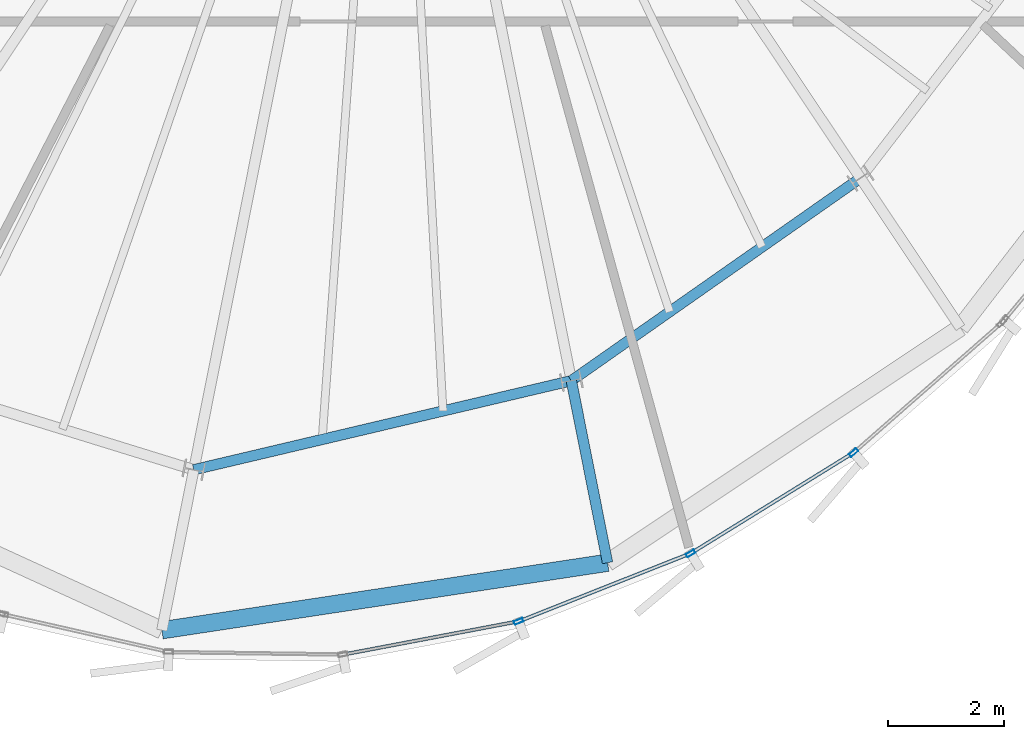
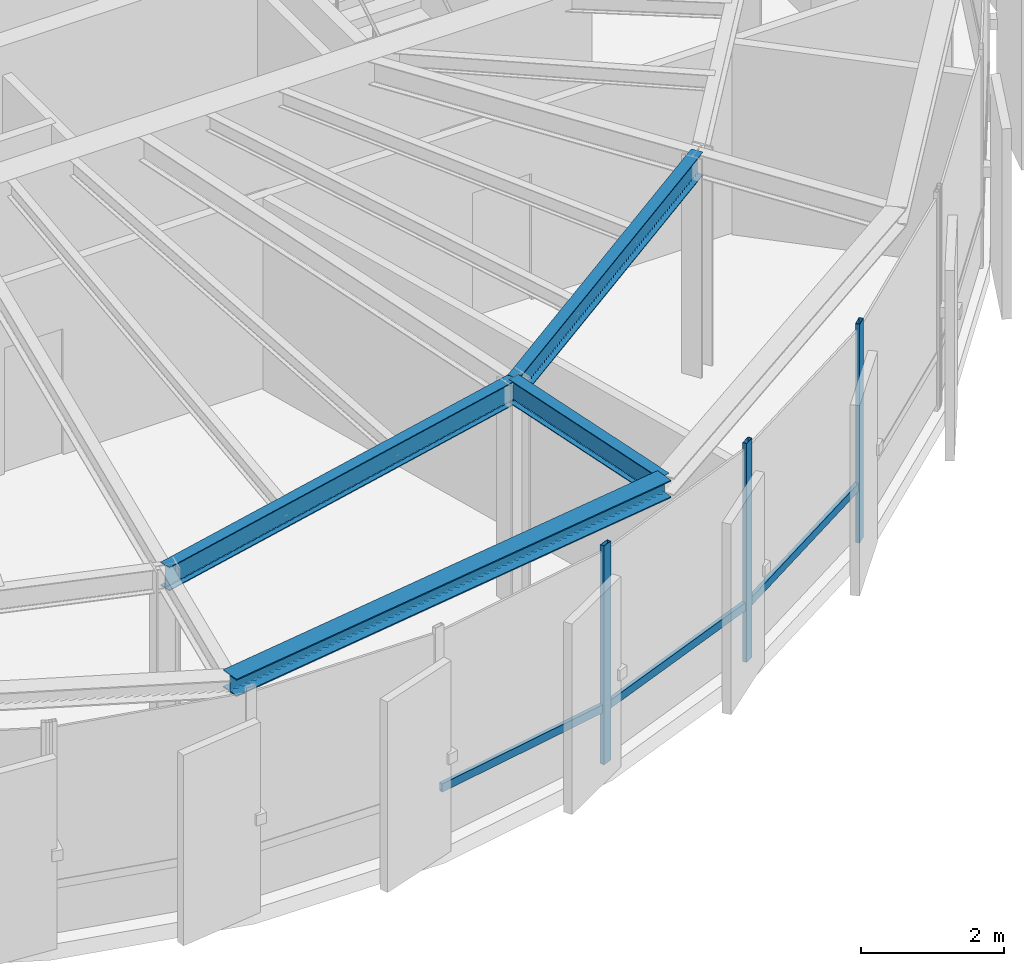
# One storey, part 6 of 26: 6 members, 4 beams, 1 element without a shape of its own.
"""IFC4 building model written with IfcOpenShell, lengths in metres."""

from ifc_helpers import new_model, si_unit, direction, frame, origin, origin_2d, place, context, subcontext, project, spatial, hollow_rectangle, i_section, extrude, source, transform, mapped, material, layer, layer_set, material_profile, profile_set, type_object, element, aggregate, save


model = new_model("IFC4")

# Units and contexts
model_context = context("Model", 3, precision=1e-05, world=origin(), true_north=direction((0.0, 1.0)))
body_context = subcontext(model_context, "Body", "Model", "MODEL_VIEW")
ifc_project = project(units=[si_unit("LENGTHUNIT", "METRE"), si_unit("AREAUNIT", "SQUARE_METRE"), si_unit("VOLUMEUNIT", "CUBIC_METRE"), si_unit("PLANEANGLEUNIT", "RADIAN"), si_unit("MASSUNIT", "GRAM", prefix="KILO"), si_unit("THERMODYNAMICTEMPERATUREUNIT", "KELVIN")], contexts=[model_context])

# Site, building, storey
site_placement = place(None, origin())
site = spatial("IfcSite", under=ifc_project, at=site_placement, CompositionType="ELEMENT")
building_placement = place(site_placement, origin())
building = spatial("IfcBuilding", under=site, at=building_placement, Name="Kethvar Cultural Tower", CompositionType="ELEMENT")
storey_placement = place(building_placement, frame((0.0, 0.0, 320.300048828125)))
storey = spatial("IfcBuildingStorey", under=building, at=storey_placement, Name="L85", CompositionType="ELEMENT", Elevation=320.300048828125)

# Beams
ifc_material_1 = material(Name="Steel S355J2", Category="steel")
ifc_material_profile_1 = material_profile(ifc_material_1, i_section(OverallWidth=0.179931640625, OverallDepth=0.39990234375, WebThickness=0.008544921875, FlangeThickness=0.013427734375, FilletRadius=0.02099609375, at=origin_2d()), Name="Steel S355J2 — IPE400")
ifc_profile_set_1 = profile_set([ifc_material_profile_1], Name="Steel S355J2 — IPE400")
beam_type_1 = type_object("IfcBeamType", Name="BM-IPE400", PredefinedType="BEAM", material=ifc_profile_set_1)
shared_shape_1 = source(origin(), body_context, "Body", "SweptSolid", [
    extrude(i_section(OverallWidth=0.179931640625, OverallDepth=0.39990234375, WebThickness=0.008544921875, FlangeThickness=0.013427734375, FilletRadius=0.02099609375, at=origin_2d()), origin(), (0.0, 0.0, 1.0), 3.199951171875),
])
beam_1_placement = place(storey_placement, frame((49.901611328125, 12.206787109375, 3.532958984375), z_axis=(0.195088965533, -0.980785550224, 0.0), x_axis=(0.980785550224, 0.195088965533, 0.0)))
element("IfcBeam", 1, at=beam_1_placement, inside=storey, type_object=beam_type_1, Name="L85 Perimeter Cantilever Beam RC-13", PredefinedType="BEAM", context=body_context, shape_type="MappedRepresentation", body=[
    mapped(shared_shape_1, transform((0.0, 0.0, 0.0), scale=1.0)),
])
shared_shape_2 = source(origin(), body_context, "Body", "SweptSolid", [
    extrude(i_section(OverallWidth=0.179931640625, OverallDepth=0.39990234375, WebThickness=0.008544921875, FlangeThickness=0.013427734375, FilletRadius=0.02099609375, at=origin_2d()), origin(), (0.0, 0.0, 1.0), 6.6875),
])
beam_2_placement = place(storey_placement, frame((43.392822265625, 10.67138671875, 3.532958984375), z_axis=(0.973286301494, 0.22959480683, 0.0), x_axis=(-0.22959480683, 0.973286301494, 0.0)))
element("IfcBeam", 2, at=beam_2_placement, inside=storey, type_object=beam_type_1, Name="L85 Column Ring Tie Beam CR-12", PredefinedType="BEAM", context=body_context, shape_type="MappedRepresentation", body=[
    mapped(shared_shape_2, transform((0.0, 0.0, 0.0), scale=1.0)),
])
shared_shape_3 = source(origin(), body_context, "Body", "SweptSolid", [
    extrude(i_section(OverallWidth=0.179931640625, OverallDepth=0.39990234375, WebThickness=0.008544921875, FlangeThickness=0.013427734375, FilletRadius=0.02099609375, at=origin_2d()), origin(), (0.0, 0.0, 1.0), 6.0859375),
])
beam_3_placement = place(storey_placement, frame((49.901611328125, 12.206787109375, 3.532958984375), z_axis=(0.818843498091, 0.57401683393, 0.0), x_axis=(-0.57401683393, 0.818843498091, 0.0)))
element("IfcBeam", 3, at=beam_3_placement, inside=storey, type_object=beam_type_1, Name="L85 Column Ring Tie Beam CR-13", PredefinedType="BEAM", context=body_context, shape_type="MappedRepresentation", body=[
    mapped(shared_shape_3, transform((0.0, 0.0, 0.0), scale=1.0)),
])
ifc_material_profile_2 = material_profile(ifc_material_1, i_section(OverallWidth=0.300048828125, OverallDepth=0.300048828125, WebThickness=0.010986328125, FlangeThickness=0.01904296875, FilletRadius=0.027099609375, at=origin_2d()), Name="Steel S355J2 — HEB300")
ifc_profile_set_2 = profile_set([ifc_material_profile_2], Name="Steel S355J2 — HEB300")
beam_type_2 = type_object("IfcBeamType", Name="BM-SP300", PredefinedType="SPANDREL", material=ifc_profile_set_2)
shared_shape_4 = source(origin(), body_context, "Body", "SweptSolid", [
    extrude(i_section(OverallWidth=0.300048828125, OverallDepth=0.300048828125, WebThickness=0.010986328125, FlangeThickness=0.01904296875, FilletRadius=0.027099609375, at=origin_2d()), origin(), (0.0, 0.0, 1.0), 7.77099609375),
])
beam_4_placement = place(storey_placement, frame((42.842529296875, 7.904541015625, 3.5830078125), z_axis=(0.988721707794, 0.149764430144, 0.0), x_axis=(-0.149764430144, 0.988721707794, 0.0)))
element("IfcBeam", 4, at=beam_4_placement, inside=storey, type_object=beam_type_2, Name="L85 Perimeter Spandrel Beam SP-12", PredefinedType="SPANDREL", context=body_context, shape_type="MappedRepresentation", body=[
    mapped(shared_shape_4, transform((0.0, 0.0, 0.0), scale=1.0)),
])

# Curtain wall, members
ifc_material_2 = material(Name="Aluminium 6063-T6", Category="aluminium")
ifc_layer = layer(ifc_material_2, 0.179931640625, Name="Aluminium 6063-T6", Category="aluminium")
ifc_layer_set = layer_set([ifc_layer], Name="Aluminium 6063-T6 (180 mm)")
curtain_wall_type = type_object("IfcCurtainWallType", Name="CW-SYS-06-CROWN", PredefinedType="NOTDEFINED", material=ifc_layer_set)
curtain_wall_placement = place(storey_placement, origin())
curtain_wall = element("IfcCurtainWall", 5, at=curtain_wall_placement, inside=storey, type_object=curtain_wall_type, Name="L85 Curtain Wall Run 04", PredefinedType="NOTDEFINED")
ifc_material_profile_3 = material_profile(ifc_material_2, hollow_rectangle(XDim=0.06494140625, YDim=0.159912109375, WallThickness=0.0048828125, at=origin_2d()), Name="Aluminium 6063-T6 — RHS160x65x5")
ifc_profile_set_3 = profile_set([ifc_material_profile_3], Name="Aluminium 6063-T6 — RHS160x65x5")
member_type_1 = type_object("IfcMemberType", Name="CW-SYS-06-CROWN-MUL", PredefinedType="MULLION", material=ifc_profile_set_3)
shared_shape_5 = source(origin(), body_context, "Body", "SweptSolid", [
    extrude(hollow_rectangle(XDim=0.06494140625, YDim=0.159912109375, WallThickness=0.0048828125, at=origin_2d()), origin(), (0.0, 0.0, 1.0), 3.73486328125),
])
member_1_placement = place(storey_placement, frame((48.992919921875, 8.056396484375, 0.0), z_axis=(0.0, 0.0, 1.0), x_axis=(-0.368173235163, 0.929757209657, 0.0)))
member_1 = element("IfcMember", 6, at=member_1_placement, type_object=member_type_1, Name="CW-L85-R04 Mullion 4", PredefinedType="MULLION", context=body_context, shape_type="MappedRepresentation", body=[
    mapped(shared_shape_5, transform((0.0, 0.0, 0.0), scale=1.0)),
])
member_2_placement = place(storey_placement, frame((51.95849609375, 9.228759765625, 0.0), z_axis=(0.0, 0.0, 1.0), x_axis=(-0.526302969443, 0.85029711534, 0.0)))
member_2 = element("IfcMember", 7, at=member_2_placement, type_object=member_type_1, Name="CW-L85-R04 Mullion 5", PredefinedType="MULLION", context=body_context, shape_type="MappedRepresentation", body=[
    mapped(shared_shape_5, transform((0.0, 0.0, 0.0), scale=1.0)),
])
member_3_placement = place(storey_placement, frame((54.768798828125, 10.96630859375, 0.0), z_axis=(0.0, 0.0, 1.0), x_axis=(-0.659267079004, 0.751908849889, 0.0)))
member_3 = element("IfcMember", 8, at=member_3_placement, type_object=member_type_1, Name="CW-L85-R04 Mullion 6", PredefinedType="MULLION", context=body_context, shape_type="MappedRepresentation", body=[
    mapped(shared_shape_5, transform((0.0, 0.0, 0.0), scale=1.0)),
])
ifc_material_profile_4 = material_profile(ifc_material_2, hollow_rectangle(XDim=0.06005859375, YDim=0.139892578125, WallThickness=0.0048828125, at=origin_2d()), Name="Aluminium 6063-T6 — RHS140x60x5")
ifc_profile_set_4 = profile_set([ifc_material_profile_4], Name="Aluminium 6063-T6 — RHS140x60x5")
member_type_2 = type_object("IfcMemberType", Name="CW-SYS-06-CROWN-TRN", PredefinedType="USERDEFINED", material=ifc_profile_set_4)
shared_shape_6 = source(origin(), body_context, "Body", "SweptSolid", [
    extrude(hollow_rectangle(XDim=0.06005859375, YDim=0.139892578125, WallThickness=0.0048828125, at=origin_2d()), origin(), (0.0, 0.0, 1.0), 3.11669921875),
])
member_4_placement = place(storey_placement, frame((49.036376953125, 8.07373046875, 0.949951171875), z_axis=(0.929756899409, 0.368174018639, 0.0), x_axis=(-0.368174018639, 0.929756899409, 0.0)))
member_4 = element("IfcMember", 9, at=member_4_placement, type_object=member_type_2, Name="CW-L85-R04 Transom 4", ObjectType="TRANSOM", PredefinedType="USERDEFINED", context=body_context, shape_type="MappedRepresentation", body=[
    mapped(shared_shape_6, transform((0.0, 0.0, 0.0), scale=1.0)),
])
shared_shape_7 = source(origin(), body_context, "Body", "SweptSolid", [
    extrude(hollow_rectangle(XDim=0.06005859375, YDim=0.139892578125, WallThickness=0.0048828125, at=origin_2d()), origin(), (0.0, 0.0, 1.0), 3.013671875),
])
member_5_placement = place(storey_placement, frame((46.0078125, 7.492919921875, 0.949951171875), z_axis=(0.982503396635, 0.186244665968, 0.0), x_axis=(-0.186244665968, 0.982503396635, 0.0)))
member_5 = element("IfcMember", 10, at=member_5_placement, type_object=member_type_2, Name="CW-L85-R04 Transom 3", ObjectType="TRANSOM", PredefinedType="USERDEFINED", context=body_context, shape_type="MappedRepresentation", body=[
    mapped(shared_shape_7, transform((0.0, 0.0, 0.0), scale=1.0)),
])
shared_shape_8 = source(origin(), body_context, "Body", "SweptSolid", [
    extrude(hollow_rectangle(XDim=0.06005859375, YDim=0.139892578125, WallThickness=0.0048828125, at=origin_2d()), origin(), (0.0, 0.0, 1.0), 3.23046875),
])
member_6_placement = place(storey_placement, frame((51.998291015625, 9.25341796875, 0.949951171875), z_axis=(0.850295746982, 0.52630518016, 0.0), x_axis=(-0.52630518016, 0.850295746982, 0.0)))
member_6 = element("IfcMember", 11, at=member_6_placement, type_object=member_type_2, Name="CW-L85-R04 Transom 5", ObjectType="TRANSOM", PredefinedType="USERDEFINED", context=body_context, shape_type="MappedRepresentation", body=[
    mapped(shared_shape_8, transform((0.0, 0.0, 0.0), scale=1.0)),
])
aggregate(curtain_wall, [member_1, member_2, member_3, member_5, member_4, member_6])

save(model, "model.ifc")
